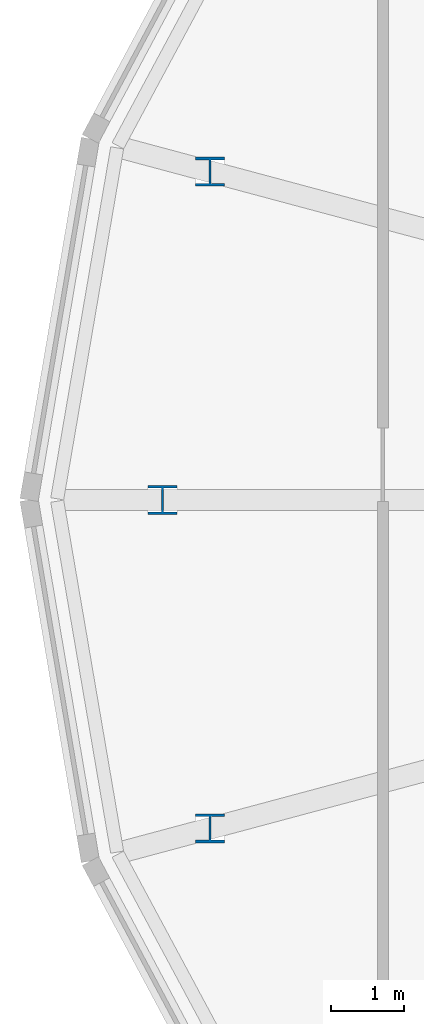
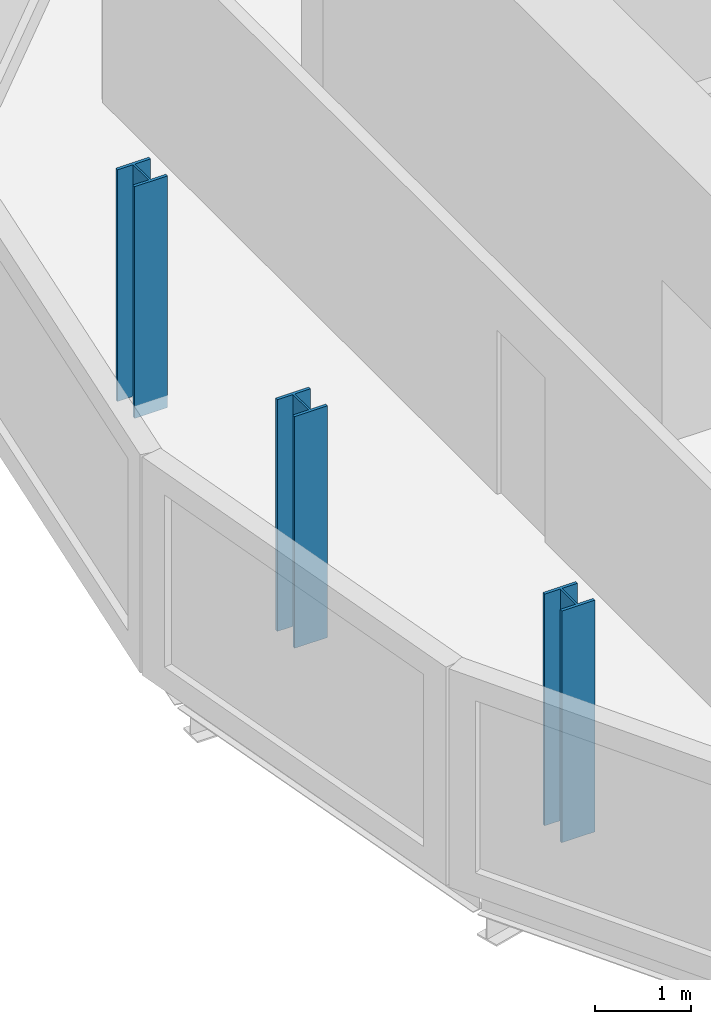
# One storey, part 1 of 36: 3 columns.
"""IFC4 building model written with IfcOpenShell, lengths in metres."""

from ifc_helpers import new_model, si_unit, direction, frame, origin, origin_2d, place, context, subcontext, project, spatial, i_section, extrude, material, material_profile, profile_set, type_object, element, save


model = new_model("IFC4")

# Units and contexts
model_context = context("Model", 3, precision=1e-05, world=origin(), true_north=direction((0.0, 1.0)))
body_context = subcontext(model_context, "Body", "Model", "MODEL_VIEW")
ifc_project = project(units=[si_unit("LENGTHUNIT", "METRE"), si_unit("AREAUNIT", "SQUARE_METRE"), si_unit("VOLUMEUNIT", "CUBIC_METRE"), si_unit("PLANEANGLEUNIT", "RADIAN"), si_unit("MASSUNIT", "GRAM", prefix="KILO")], contexts=[model_context])

# Site, building, storey
site_placement = place(None, origin())
site = spatial("IfcSite", under=ifc_project, at=site_placement, CompositionType="ELEMENT")
building_placement = place(site_placement, origin())
building = spatial("IfcBuilding", under=site, at=building_placement, Name="Rimbun Link Towers", CompositionType="ELEMENT")
storey_placement = place(building_placement, frame((0.0, 0.0, 37.60009765625)))
storey = spatial("IfcBuildingStorey", under=building, at=storey_placement, Name="L08", CompositionType="ELEMENT", Elevation=37.60009765625)

# Columns
ifc_material = material(Name="Steel S355J2", Category="steel")
ifc_material_profile = material_profile(ifc_material, i_section(OverallWidth=0.39892578125, OverallDepth=0.3935546875, WebThickness=0.022705078125, FlangeThickness=0.03662109375, at=origin_2d()), Name="UC 356x406x287")
ifc_profile_set = profile_set([ifc_material_profile], Name="Steel S355J2")
column_type = type_object("IfcColumnType", Name="UC 356x406x287", PredefinedType="COLUMN", material=ifc_profile_set)
for number, where, z_axis, x_axis, name in (
    (1, (-48.42626953125, 4.468505859375, -0.16015625), (0.0, 0.0, 1.0), (1.0, 0.0, 0.0), "Crease post T1 L08 11"),
    (2, (-49.07421875, 0.0, -0.16015625), (0.0, 0.0, 1.0), (1.0, 0.0, 0.0), "Crease post T1 L08 12"),
    (3, (-48.42626953125, -4.468505859375, -0.16015625), (0.0, 0.0, 1.0), (1.0, 0.0, 0.0), "Crease post T1 L08 13"),
):
    element("IfcColumn", number, at=place(storey_placement, frame(where, z_axis=z_axis, x_axis=x_axis)), inside=storey, type_object=column_type, Name=name, PredefinedType="COLUMN", context=body_context, shape_type="SweptSolid", body=[
        extrude(i_section(OverallWidth=0.39892578125, OverallDepth=0.3935546875, WebThickness=0.022705078125, FlangeThickness=0.03662109375, at=origin_2d()), origin(), (0.0, 0.0, 1.0), 2.95947265625),
    ])

save(model, "model.ifc")
